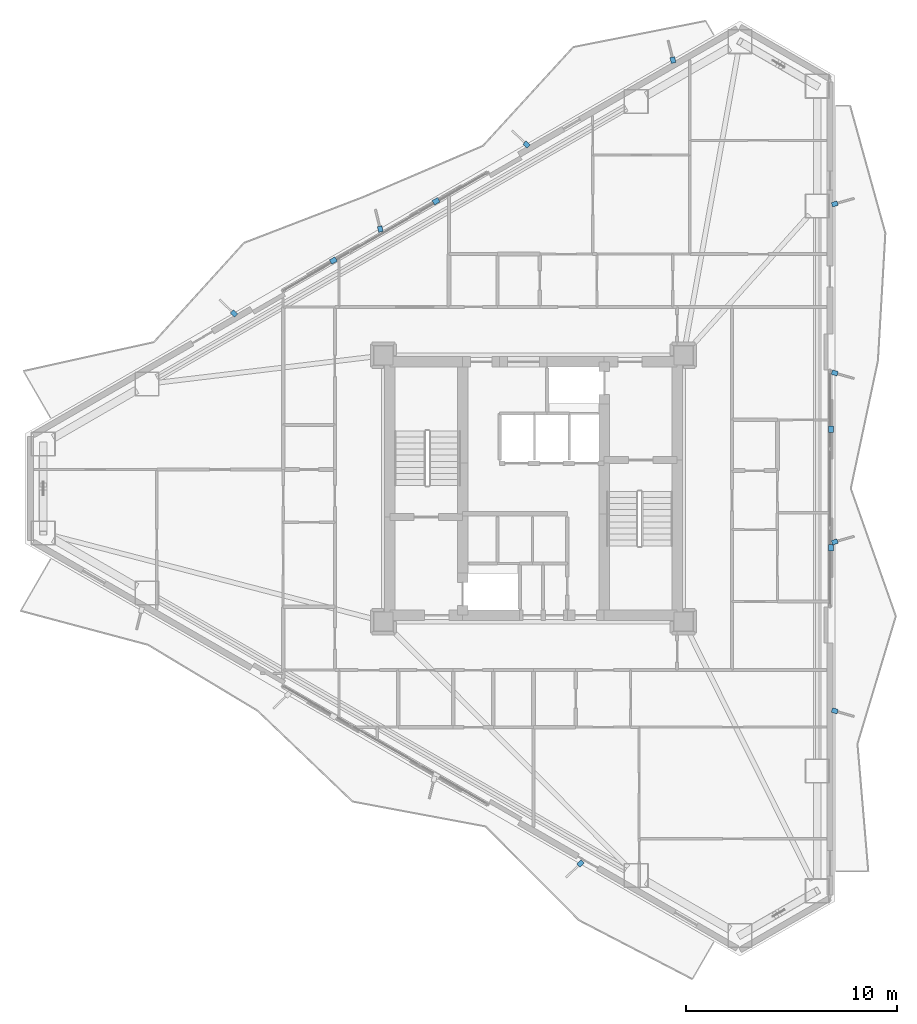
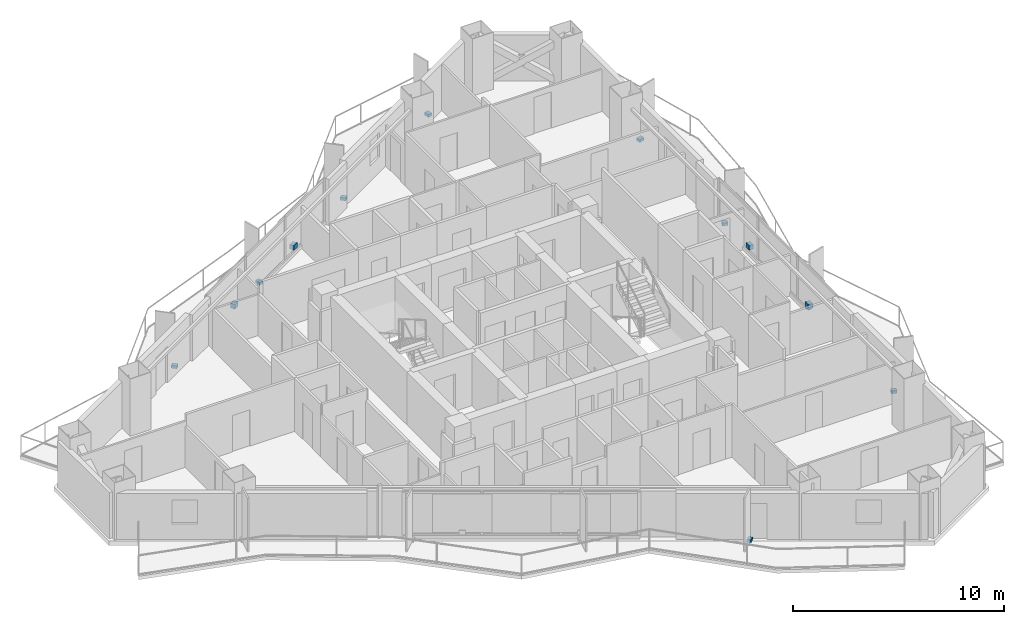
# One storey, part 21 of 23: 13 discrete accessories.
"""IFC4 building model written with IfcOpenShell, lengths in metres."""

from ifc_helpers import new_model, si_unit, direction, frame, origin, origin_2d, place, context, subcontext, project, spatial, rectangle, extrude, material, layer, layer_set, type_object, element, save


model = new_model("IFC4")

# Units and contexts
model_context = context("Model", 3, precision=1e-05, world=origin(), true_north=direction((0.0, 1.0)))
body_context = subcontext(model_context, "Body", "Model", "MODEL_VIEW")
ifc_project = project(units=[si_unit("LENGTHUNIT", "METRE"), si_unit("AREAUNIT", "SQUARE_METRE"), si_unit("VOLUMEUNIT", "CUBIC_METRE"), si_unit("PLANEANGLEUNIT", "RADIAN"), si_unit("MASSUNIT", "GRAM", prefix="KILO")], contexts=[model_context])

# Site, building, storey
site_placement = place(None, origin())
site = spatial("IfcSite", under=ifc_project, at=site_placement, CompositionType="ELEMENT")
building_placement = place(site_placement, origin())
building = spatial("IfcBuilding", under=site, at=building_placement, Name="Mersakhor Tower and Convention Hall", CompositionType="ELEMENT")
storey_placement = place(building_placement, frame((0.0, 0.0, 73.5)))
storey = spatial("IfcBuildingStorey", under=building, at=storey_placement, Name="L19", CompositionType="ELEMENT", Elevation=73.5)

# Discrete accessories
ifc_material = material(Name="Galvanised steel bracket", Category="steel")
ifc_layer = layer(ifc_material, 0.02001953125)
ifc_layer_set = layer_set([ifc_layer], Name="Galvanised steel bracket")
discrete_accessory_type = type_object("IfcDiscreteAccessoryType", Name="ACC-BRK-STL", PredefinedType="BRACKET", material=ifc_layer_set)
for number, where, z_axis, x_axis, name in (
    (1, (19.5263671875, 37.5439453125, 0.2900390625), (0.0, 0.0, 1.0), (0.866025403784, 0.5, 0.0), "L19 Solar Screen Outrigger Bracket BRK-1-1"),
    (2, (24.388916015625, 40.351318359375, 0.2900390625), (0.0, 0.0, 1.0), (0.866025403784, 0.5, 0.0), "L19 Solar Screen Outrigger Bracket BRK-1-2"),
):
    element("IfcDiscreteAccessory", number, at=place(storey_placement, frame(where, z_axis=z_axis, x_axis=x_axis)), inside=storey, type_object=discrete_accessory_type, Name=name, PredefinedType="BRACKET", context=body_context, shape_type="SweptSolid", body=[
        extrude(rectangle(XDim=0.300048828125, YDim=0.239990234375, at=origin_2d()), origin(), (0.0, 0.0, 1.0), 0.260009765625),
    ])
for number, where, z_axis, x_axis, name in (
    (3, (14.8193359375, 35.0341796875, -0.02001953125), (0.0, 0.0, 1.0), (-0.719339800339, 0.694658370459, 0.0), "L19 Facade Fin Base Cleat Bracket FBRK-1-1"),
    (4, (21.74755859375, 39.0341796875, -0.02001953125), (0.0, 0.0, 1.0), (-0.2419218956, 0.970295726276, 0.0), "L19 Facade Fin Base Cleat Bracket FBRK-1-2"),
    (5, (28.67578125, 43.0341796875, -0.02001953125), (0.0, 0.0, 1.0), (-0.719339800339, 0.694658370459, 0.0), "L19 Facade Fin Base Cleat Bracket FBRK-1-3"),
    (6, (35.60400390625, 47.0341796875, -0.02001953125), (0.0, 0.0, 1.0), (-0.2419218956, 0.970295726276, 0.0), "L19 Facade Fin Base Cleat Bracket FBRK-1-4"),
):
    element("IfcDiscreteAccessory", number, at=place(storey_placement, frame(where, z_axis=z_axis, x_axis=x_axis)), inside=storey, type_object=discrete_accessory_type, Name=name, PredefinedType="BRACKET", context=body_context, shape_type="SweptSolid", body=[
        extrude(rectangle(XDim=0.280029296875, YDim=0.219970703125, at=origin_2d()), origin(), (0.0, 0.0, 1.0), 0.159912109375),
    ])
for number, where, z_axis, x_axis, name in (
    (7, (43.084716796875, 29.557373046875, 0.2900390625), (0.0, 0.0, 1.0), (0.0, -1.0, 0.0), "L19 Solar Screen Outrigger Bracket BRK-2-1"),
    (8, (43.084716796875, 23.942626953125, 0.2900390625), (0.0, 0.0, 1.0), (0.0, -1.0, 0.0), "L19 Solar Screen Outrigger Bracket BRK-2-2"),
):
    element("IfcDiscreteAccessory", number, at=place(storey_placement, frame(where, z_axis=z_axis, x_axis=x_axis)), inside=storey, type_object=discrete_accessory_type, Name=name, PredefinedType="BRACKET", context=body_context, shape_type="SweptSolid", body=[
        extrude(rectangle(XDim=0.300048828125, YDim=0.239990234375, at=origin_2d()), origin(), (0.0, 0.0, 1.0), 0.260009765625),
    ])
for number, where, z_axis, x_axis, name in (
    (9, (43.2646484375, 40.221923828125, -0.02001953125), (0.0, 0.0, 1.0), (0.961261695938, 0.275637355817, 0.0), "L19 Facade Fin Base Cleat Bracket FBRK-2-1"),
    (10, (43.2646484375, 32.221923828125, -0.02001953125), (0.0, 0.0, 1.0), (0.961261695938, -0.275637355817, 0.0), "L19 Facade Fin Base Cleat Bracket FBRK-2-2"),
    (11, (43.2646484375, 24.221923828125, -0.02001953125), (0.0, 0.0, 1.0), (0.961261695938, 0.275637355817, 0.0), "L19 Facade Fin Base Cleat Bracket FBRK-2-3"),
    (12, (43.2646484375, 16.221923828125, -0.02001953125), (0.0, 0.0, 1.0), (0.961261695938, -0.275637355817, 0.0), "L19 Facade Fin Base Cleat Bracket FBRK-2-4"),
    (13, (31.225341796875, 8.993896484375, -0.02001953125), (0.0, 0.0, 1.0), (-0.719339800339, -0.694658370459, 0.0), "L19 Facade Fin Base Cleat Bracket FBRK-3-1"),
):
    element("IfcDiscreteAccessory", number, at=place(storey_placement, frame(where, z_axis=z_axis, x_axis=x_axis)), inside=storey, type_object=discrete_accessory_type, Name=name, PredefinedType="BRACKET", context=body_context, shape_type="SweptSolid", body=[
        extrude(rectangle(XDim=0.280029296875, YDim=0.219970703125, at=origin_2d()), origin(), (0.0, 0.0, 1.0), 0.159912109375),
    ])

save(model, "model.ifc")
